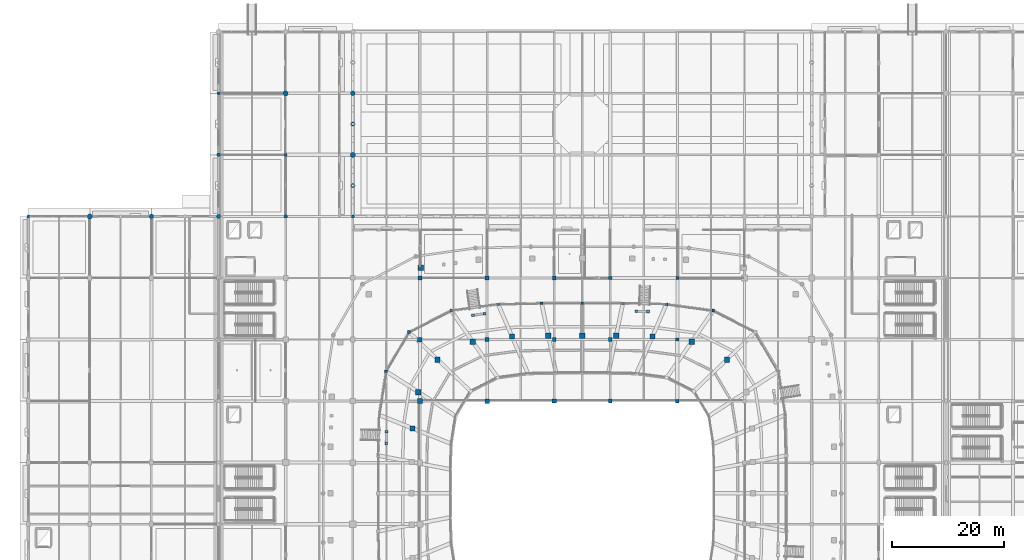
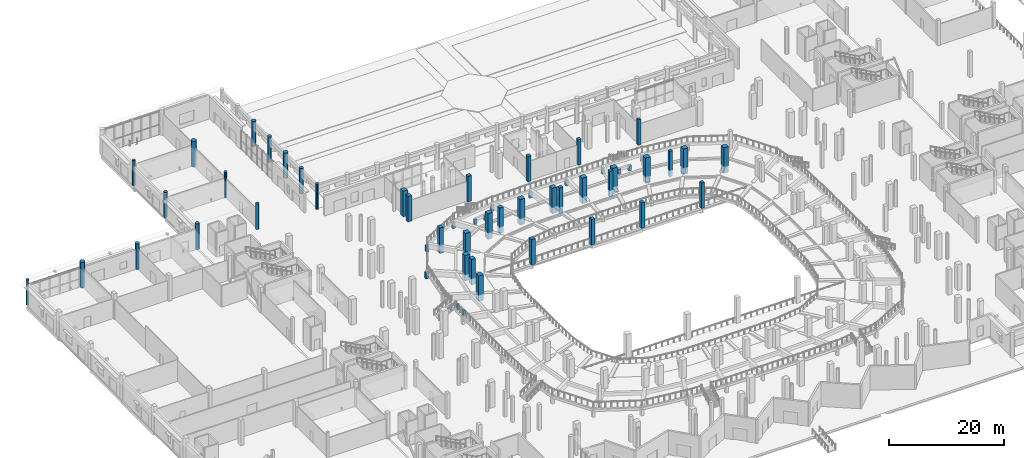
# One storey, part 8 of 120: 56 columns.
"""IFC4 building model written with IfcOpenShell, lengths in metres."""

from ifc_helpers import new_model, si_unit, direction, frame, origin, origin_2d, place, context, subcontext, project, spatial, rectangle, circle, extrude, material, material_profile, profile_set, type_object, element, save


model = new_model("IFC4")

# Units and contexts
model_context = context("Model", 3, precision=1e-05, world=origin(), true_north=direction((0.0, 1.0)))
body_context = subcontext(model_context, "Body", "Model", "MODEL_VIEW")
ifc_project = project(units=[si_unit("LENGTHUNIT", "METRE"), si_unit("AREAUNIT", "SQUARE_METRE"), si_unit("VOLUMEUNIT", "CUBIC_METRE"), si_unit("PLANEANGLEUNIT", "RADIAN"), si_unit("MASSUNIT", "GRAM", prefix="KILO")], contexts=[model_context])

# Site, building, storey
site_placement = place(None, origin())
site = spatial("IfcSite", under=ifc_project, at=site_placement, CompositionType="ELEMENT")
building_placement = place(site_placement, origin())
building = spatial("IfcBuilding", under=site, at=building_placement, Name="Luwafu Chhajja Arena", CompositionType="ELEMENT")
storey_placement = place(building_placement, origin())
storey = spatial("IfcBuildingStorey", under=building, at=storey_placement, Name="L00", CompositionType="ELEMENT", Elevation=0.0)

# Columns
ifc_material_1 = material(Name="Concrete C40/50", Category="concrete")
ifc_material_profile_1 = material_profile(ifc_material_1, rectangle(XDim=0.949951171875, YDim=0.949951171875, at=origin_2d()), Name="RC 950x950")
ifc_profile_set_1 = profile_set([ifc_material_profile_1], Name="Concrete C40/50")
column_type_1 = type_object("IfcColumnType", Name="Bowl Raker Support Column RC 950", PredefinedType="COLUMN", material=ifc_profile_set_1)
for number, where, z_axis, x_axis, name in (
    (1, (124.85986328125, 73.409912109375, 0.0), (0.0, 0.0, 1.0), (1.0, 0.0, 0.0), "L00 Upper Bowl Raker Column UI05"),
    (2, (118.57666015625, 76.589111328125, 0.0), (0.0, 0.0, 1.0), (1.0, 0.0, 0.0), "L00 Upper Bowl Raker Column UI06"),
    (3, (111.560302734375, 77.536865234375, 0.0), (0.0, 0.0, 1.0), (1.0, 0.0, 0.0), "L00 Upper Bowl Raker Column UI07"),
    (4, (105.065185546875, 77.6923828125, 0.0), (0.0, 0.0, 1.0), (1.0, 0.0, 0.0), "L00 Upper Bowl Raker Column UI08"),
    (5, (99.0, 77.699951171875, 0.0), (0.0, 0.0, 1.0), (1.0, 0.0, 0.0), "L00 Upper Bowl Raker Column UI09"),
    (6, (92.934814453125, 77.6923828125, 0.0), (0.0, 0.0, 1.0), (1.0, 0.0, 0.0), "L00 Upper Bowl Raker Column UI10"),
    (7, (86.439697265625, 77.536865234375, 0.0), (0.0, 0.0, 1.0), (1.0, 0.0, 0.0), "L00 Upper Bowl Raker Column UI11"),
    (8, (79.42333984375, 76.589111328125, 0.0), (0.0, 0.0, 1.0), (1.0, 0.0, 0.0), "L00 Upper Bowl Raker Column UI12"),
    (9, (73.14013671875, 73.409912109375, 0.0), (0.0, 0.0, 1.0), (1.0, 0.0, 0.0), "L00 Upper Bowl Raker Column UI13"),
    (10, (69.701416015625, 67.600341796875, 0.0), (0.0, 0.0, 1.0), (1.0, 0.0, 0.0), "L00 Upper Bowl Raker Column UI14"),
    (11, (68.676513671875, 61.11328125, 0.0), (0.0, 0.0, 1.0), (1.0, 0.0, 0.0), "L00 Upper Bowl Raker Column UI15"),
    (12, (70.116455078125, 89.845458984375, 0.0), (0.0, 0.0, 1.0), (1.0, 0.0, 0.0), "L00 Upper Bowl Raker Column UO12"),
):
    element("IfcColumn", number, at=place(storey_placement, frame(where, z_axis=z_axis, x_axis=x_axis)), inside=storey, type_object=column_type_1, Name=name, PredefinedType="COLUMN", context=body_context, shape_type="SweptSolid", body=[
        extrude(rectangle(XDim=0.949951171875, YDim=0.949951171875, at=origin_2d()), origin(), (0.0, 0.0, 1.0), 5.39990234375),
    ])
ifc_material_2 = material(Name="Concrete C35/45", Category="concrete")
ifc_material_profile_2 = material_profile(ifc_material_2, circle(Radius=0.375, at=origin_2d()), Name="RC COL D750")
ifc_profile_set_2 = profile_set([ifc_material_profile_2], Name="Concrete C35/45")
column_type_2 = type_object("IfcColumnType", Name="Charbagh Cloister Pier D750", PredefinedType="COLUMN", material=ifc_profile_set_2)
for number, where, z_axis, x_axis, name in (
    (13, (34.0, 99.0, 0.0), (0.0, 0.0, 1.0), (1.0, 0.0, 0.0), "L00 Grid Column 4/K"),
    (14, (58.0, 104.5, 0.0), (0.0, 0.0, 1.0), (1.0, 0.0, 0.0), "L00 Mughal Riwaq Colonnade Pier CHW09"),
    (15, (58.0, 115.5, 0.0), (0.0, 0.0, 1.0), (1.0, 0.0, 0.0), "L00 Mughal Riwaq Colonnade Pier CHW10"),
):
    element("IfcColumn", number, at=place(storey_placement, frame(where, z_axis=z_axis, x_axis=x_axis)), inside=storey, type_object=column_type_2, Name=name, PredefinedType="COLUMN", context=body_context, shape_type="SweptSolid", body=[
        extrude(circle(Radius=0.375, at=origin_2d()), origin(), (0.0, 0.0, 1.0), 5.39990234375),
    ])
ifc_material_profile_3 = material_profile(ifc_material_2, rectangle(XDim=0.85009765625, YDim=0.85009765625, at=origin_2d()), Name="RC 850x850")
ifc_profile_set_3 = profile_set([ifc_material_profile_3], Name="Concrete C35/45")
column_type_3 = type_object("IfcColumnType", Name="Concourse Heavy Column RC 850", PredefinedType="COLUMN", material=ifc_profile_set_3)
column_1_placement = place(storey_placement, frame((70.0, 66.0, 0.0), z_axis=(0.0, 0.0, 1.0), x_axis=(1.0, 0.0, 0.0)))
element("IfcColumn", 16, at=column_1_placement, inside=storey, type_object=column_type_3, Name="L00 Grid Column 7/G", PredefinedType="COLUMN", context=body_context, shape_type="SweptSolid", body=[
    extrude(rectangle(XDim=0.85009765625, YDim=0.85009765625, at=origin_2d()), origin(), (0.0, 0.0, 1.0), 5.39990234375),
])
ifc_material_profile_4 = material_profile(ifc_material_2, rectangle(XDim=0.800048828125, YDim=0.800048828125, at=origin_2d()), Name="RC 800x800")
ifc_profile_set_4 = profile_set([ifc_material_profile_4], Name="Concrete C35/45")
column_type_4 = type_object("IfcColumnType", Name="Concourse Standard Column RC 800", PredefinedType="COLUMN", material=ifc_profile_set_4)
for number, where, z_axis, x_axis, name in (
    (17, (70.0, 77.0, 0.0), (0.0, 0.0, 1.0), (1.0, 0.0, 0.0), "L00 Grid Column 7/H"),
    (18, (82.0, 66.0, 0.0), (0.0, 0.0, 1.0), (1.0, 0.0, 0.0), "L00 Grid Column 8/G"),
):
    element("IfcColumn", number, at=place(storey_placement, frame(where, z_axis=z_axis, x_axis=x_axis)), inside=storey, type_object=column_type_4, Name=name, PredefinedType="COLUMN", context=body_context, shape_type="SweptSolid", body=[
        extrude(rectangle(XDim=0.800048828125, YDim=0.800048828125, at=origin_2d()), origin(), (0.0, 0.0, 1.0), 5.39990234375),
    ])
ifc_material_profile_5 = material_profile(ifc_material_2, circle(Radius=0.324951171875, at=origin_2d()), Name="RC COL D650")
ifc_profile_set_5 = profile_set([ifc_material_profile_5], Name="Concrete C35/45")
column_type_5 = type_object("IfcColumnType", Name="Courtyard Arcade Pier D650", PredefinedType="COLUMN", material=ifc_profile_set_5)
for number, where, z_axis, x_axis, name in (
    (19, (34.0, 110.0, 0.0), (0.0, 0.0, 1.0), (1.0, 0.0, 0.0), "L00 Grid Column 4/L"),
    (20, (46.0, 99.0, 0.0), (0.0, 0.0, 1.0), (1.0, 0.0, 0.0), "L00 Grid Column 5/K"),
):
    element("IfcColumn", number, at=place(storey_placement, frame(where, z_axis=z_axis, x_axis=x_axis)), inside=storey, type_object=column_type_5, Name=name, PredefinedType="COLUMN", context=body_context, shape_type="SweptSolid", body=[
        extrude(circle(Radius=0.324951171875, at=origin_2d()), origin(), (0.0, 0.0, 1.0), 5.39990234375),
    ])
ifc_material_profile_6 = material_profile(ifc_material_1, circle(Radius=0.39990234375, at=origin_2d()), Name="RC COL D800")
ifc_profile_set_6 = profile_set([ifc_material_profile_6], Name="Concrete C40/50")
column_type_6 = type_object("IfcColumnType", Name="Foyer Rotunda Pier D800", PredefinedType="COLUMN", material=ifc_profile_set_6)
for number, where, z_axis, x_axis, name in (
    (21, (22.0, 99.0, 0.0), (0.0, 0.0, 1.0), (1.0, 0.0, 0.0), "L00 Grid Column 3/K"),
    (22, (58.0, 121.0, 0.0), (0.0, 0.0, 1.0), (1.0, 0.0, 0.0), "L00 Grid Column 6/M"),
):
    element("IfcColumn", number, at=place(storey_placement, frame(where, z_axis=z_axis, x_axis=x_axis)), inside=storey, type_object=column_type_6, Name=name, PredefinedType="COLUMN", context=body_context, shape_type="SweptSolid", body=[
        extrude(circle(Radius=0.39990234375, at=origin_2d()), origin(), (0.0, 0.0, 1.0), 5.39990234375),
    ])
ifc_material_profile_7 = material_profile(ifc_material_2, rectangle(XDim=0.550048828125, YDim=0.550048828125, at=origin_2d()), Name="RC 550x550")
ifc_profile_set_7 = profile_set([ifc_material_profile_7], Name="Concrete C35/45")
column_type_7 = type_object("IfcColumnType", Name="Gallery Column RC 550", PredefinedType="COLUMN", material=ifc_profile_set_7)
column_2_placement = place(storey_placement, frame((116.0, 88.0, 0.0), z_axis=(0.0, 0.0, 1.0), x_axis=(1.0, 0.0, 0.0)))
element("IfcColumn", 23, at=column_2_placement, inside=storey, type_object=column_type_7, Name="L00 Grid Column 11/J", PredefinedType="COLUMN", context=body_context, shape_type="SweptSolid", body=[
    extrude(rectangle(XDim=0.550048828125, YDim=0.550048828125, at=origin_2d()), origin(), (0.0, 0.0, 1.0), 5.39990234375),
])
ifc_material_profile_8 = material_profile(ifc_material_2, rectangle(XDim=0.75, YDim=0.75, at=origin_2d()), Name="RC 750x750")
ifc_profile_set_8 = profile_set([ifc_material_profile_8], Name="Concrete C35/45")
column_type_8 = type_object("IfcColumnType", Name="Hospitality Ring Column RC 750", PredefinedType="COLUMN", material=ifc_profile_set_8)
for number, where, z_axis, x_axis, name in (
    (24, (70.0, 88.0, 0.0), (0.0, 0.0, 1.0), (1.0, 0.0, 0.0), "L00 Grid Column 7/J"),
    (25, (82.0, 77.0, 0.0), (0.0, 0.0, 1.0), (1.0, 0.0, 0.0), "L00 Grid Column 8/H"),
    (26, (94.0, 66.0, 0.0), (0.0, 0.0, 1.0), (1.0, 0.0, 0.0), "L00 Grid Column 9/G"),
):
    element("IfcColumn", number, at=place(storey_placement, frame(where, z_axis=z_axis, x_axis=x_axis)), inside=storey, type_object=column_type_8, Name=name, PredefinedType="COLUMN", context=body_context, shape_type="SweptSolid", body=[
        extrude(rectangle(XDim=0.75, YDim=0.75, at=origin_2d()), origin(), (0.0, 0.0, 1.0), 5.39990234375),
    ])
ifc_material_profile_9 = material_profile(ifc_material_2, rectangle(XDim=0.60009765625, YDim=0.60009765625, at=origin_2d()), Name="RC 600x600")
ifc_profile_set_9 = profile_set([ifc_material_profile_9], Name="Concrete C35/45")
column_type_9 = type_object("IfcColumnType", Name="Mezzanine Column RC 600", PredefinedType="COLUMN", material=ifc_profile_set_9)
for number, where, z_axis, x_axis, name in (
    (27, (104.0, 88.0, 0.0), (0.0, 0.0, 1.0), (1.0, 0.0, 0.0), "L00 Grid Column 10/J"),
    (28, (116.0, 77.0, 0.0), (0.0, 0.0, 1.0), (1.0, 0.0, 0.0), "L00 Grid Column 11/H"),
):
    element("IfcColumn", number, at=place(storey_placement, frame(where, z_axis=z_axis, x_axis=x_axis)), inside=storey, type_object=column_type_9, Name=name, PredefinedType="COLUMN", context=body_context, shape_type="SweptSolid", body=[
        extrude(rectangle(XDim=0.60009765625, YDim=0.60009765625, at=origin_2d()), origin(), (0.0, 0.0, 1.0), 5.39990234375),
    ])
ifc_material_profile_10 = material_profile(ifc_material_1, circle(Radius=0.449951171875, at=origin_2d()), Name="RC COL D900")
ifc_profile_set_10 = profile_set([ifc_material_profile_10], Name="Concrete C40/50")
column_type_10 = type_object("IfcColumnType", Name="Mughal Colonnade Drum Pier D900", PredefinedType="COLUMN", material=ifc_profile_set_10)
for number, where, z_axis, x_axis, name in (
    (29, (11.0, 99.0, 0.0), (0.0, 0.0, 1.0), (1.0, 0.0, 0.0), "L00 Grid Column 2/K"),
    (30, (46.0, 121.0, 0.0), (0.0, 0.0, 1.0), (1.0, 0.0, 0.0), "L00 Grid Column 5/M"),
    (31, (58.0, 110.0, 0.0), (0.0, 0.0, 1.0), (1.0, 0.0, 0.0), "L00 Grid Column 6/L"),
):
    element("IfcColumn", number, at=place(storey_placement, frame(where, z_axis=z_axis, x_axis=x_axis)), inside=storey, type_object=column_type_10, Name=name, PredefinedType="COLUMN", context=body_context, shape_type="SweptSolid", body=[
        extrude(circle(Radius=0.449951171875, at=origin_2d()), origin(), (0.0, 0.0, 1.0), 5.39990234375),
    ])
ifc_material_profile_11 = material_profile(ifc_material_2, rectangle(XDim=0.5, YDim=0.5, at=origin_2d()), Name="RC 500x500")
ifc_profile_set_11 = profile_set([ifc_material_profile_11], Name="Concrete C35/45")
column_type_11 = type_object("IfcColumnType", Name="Pavilion Column RC 500", PredefinedType="COLUMN", material=ifc_profile_set_11)
for number, where, z_axis, x_axis, name in (
    (32, (122.427734375, 82.16064453125, 0.0), (0.0, 0.0, 1.0), (1.0, 0.0, 0.0), "L00 Raker Heel Plinth 06"),
    (33, (114.03125, 83.30322265625, 0.0), (0.0, 0.0, 1.0), (1.0, 0.0, 0.0), "L00 Raker Heel Plinth 07"),
):
    element("IfcColumn", number, at=place(storey_placement, frame(where, z_axis=z_axis, x_axis=x_axis)), inside=storey, type_object=column_type_11, Name=name, PredefinedType="COLUMN", context=body_context, shape_type="SweptSolid", body=[
        extrude(rectangle(XDim=0.5, YDim=0.5, at=origin_2d()), origin(), (0.0, 0.0, 1.0), 1.280029296875),
    ])
for number, where, z_axis, x_axis, name in (
    (34, (110.74169921875, 81.994140625, 0.0), (0.0, 0.0, 1.0), (1.0, 0.0, 0.0), "L00 Vomitory Header Column VL07A"),
    (35, (108.64208984375, 82.044921875, 0.0), (0.0, 0.0, 1.0), (1.0, 0.0, 0.0), "L00 Vomitory Header Column VL07B"),
):
    element("IfcColumn", number, at=place(storey_placement, frame(where, z_axis=z_axis, x_axis=x_axis)), inside=storey, type_object=column_type_11, Name=name, PredefinedType="COLUMN", context=body_context, shape_type="SweptSolid", body=[
        extrude(rectangle(XDim=0.5, YDim=0.5, at=origin_2d()), origin(), (0.0, 0.0, 1.0), 1.050048828125),
    ])
for number, where, z_axis, x_axis, name in (
    (36, (106.25830078125, 83.49072265625, 0.0), (0.0, 0.0, 1.0), (1.0, 0.0, 0.0), "L00 Raker Heel Plinth 08"),
    (37, (99.0, 83.5, 0.0), (0.0, 0.0, 1.0), (1.0, 0.0, 0.0), "L00 Raker Heel Plinth 09"),
    (38, (91.74169921875, 83.49072265625, 0.0), (0.0, 0.0, 1.0), (1.0, 0.0, 0.0), "L00 Raker Heel Plinth 10"),
    (39, (83.96875, 83.30322265625, 0.0), (0.0, 0.0, 1.0), (1.0, 0.0, 0.0), "L00 Raker Heel Plinth 11"),
):
    element("IfcColumn", number, at=place(storey_placement, frame(where, z_axis=z_axis, x_axis=x_axis)), inside=storey, type_object=column_type_11, Name=name, PredefinedType="COLUMN", context=body_context, shape_type="SweptSolid", body=[
        extrude(rectangle(XDim=0.5, YDim=0.5, at=origin_2d()), origin(), (0.0, 0.0, 1.0), 1.280029296875),
    ])
for number, where, z_axis, x_axis, name in (
    (40, (81.537109375, 81.618408203125, 0.0), (0.0, 0.0, 1.0), (1.0, 0.0, 0.0), "L00 Vomitory Header Column VL11A"),
    (41, (79.456298828125, 81.335205078125, 0.0), (0.0, 0.0, 1.0), (1.0, 0.0, 0.0), "L00 Vomitory Header Column VL11B"),
):
    element("IfcColumn", number, at=place(storey_placement, frame(where, z_axis=z_axis, x_axis=x_axis)), inside=storey, type_object=column_type_11, Name=name, PredefinedType="COLUMN", context=body_context, shape_type="SweptSolid", body=[
        extrude(rectangle(XDim=0.5, YDim=0.5, at=origin_2d()), origin(), (0.0, 0.0, 1.0), 1.050048828125),
    ])
for number, where, z_axis, x_axis, name in (
    (42, (75.572265625, 82.16064453125, 0.0), (0.0, 0.0, 1.0), (1.0, 0.0, 0.0), "L00 Raker Heel Plinth 12"),
    (43, (68.052978515625, 78.327392578125, 0.0), (0.0, 0.0, 1.0), (1.0, 0.0, 0.0), "L00 Raker Heel Plinth 13"),
    (44, (63.93798828125, 71.322998046875, 0.0), (0.0, 0.0, 1.0), (1.0, 0.0, 0.0), "L00 Raker Heel Plinth 14"),
):
    element("IfcColumn", number, at=place(storey_placement, frame(where, z_axis=z_axis, x_axis=x_axis)), inside=storey, type_object=column_type_11, Name=name, PredefinedType="COLUMN", context=body_context, shape_type="SweptSolid", body=[
        extrude(rectangle(XDim=0.5, YDim=0.5, at=origin_2d()), origin(), (0.0, 0.0, 1.0), 1.280029296875),
    ])
for number, where, z_axis, x_axis, name in (
    (45, (64.0341796875, 60.533203125, 0.0), (0.0, 0.0, 1.0), (1.0, 0.0, 0.0), "L00 Vomitory Header Column VL15A"),
    (46, (63.9755859375, 58.43408203125, 0.0), (0.0, 0.0, 1.0), (1.0, 0.0, 0.0), "L00 Vomitory Header Column VL15B"),
):
    element("IfcColumn", number, at=place(storey_placement, frame(where, z_axis=z_axis, x_axis=x_axis)), inside=storey, type_object=column_type_11, Name=name, PredefinedType="COLUMN", context=body_context, shape_type="SweptSolid", body=[
        extrude(rectangle(XDim=0.5, YDim=0.5, at=origin_2d()), origin(), (0.0, 0.0, 1.0), 1.050048828125),
    ])
ifc_material_profile_12 = material_profile(ifc_material_2, circle(Radius=0.27490234375, at=origin_2d()), Name="RC COL D550")
ifc_profile_set_12 = profile_set([ifc_material_profile_12], Name="Concrete C35/45")
column_type_12 = type_object("IfcColumnType", Name="Terrace Loggia Pier D550", PredefinedType="COLUMN", material=ifc_profile_set_12)
for number, where, z_axis, x_axis, name in (
    (47, (0.0, 99.0, 0.0), (0.0, 0.0, 1.0), (1.0, 0.0, 0.0), "L00 Grid Column 1/K"),
    (48, (34.0, 121.0, 0.0), (0.0, 0.0, 1.0), (1.0, 0.0, 0.0), "L00 Grid Column 4/M"),
    (49, (46.0, 110.0, 0.0), (0.0, 0.0, 1.0), (1.0, 0.0, 0.0), "L00 Grid Column 5/L"),
    (50, (58.0, 99.0, 0.0), (0.0, 0.0, 1.0), (1.0, 0.0, 0.0), "L00 Grid Column 6/K"),
):
    element("IfcColumn", number, at=place(storey_placement, frame(where, z_axis=z_axis, x_axis=x_axis)), inside=storey, type_object=column_type_12, Name=name, PredefinedType="COLUMN", context=body_context, shape_type="SweptSolid", body=[
        extrude(circle(Radius=0.27490234375, at=origin_2d()), origin(), (0.0, 0.0, 1.0), 5.39990234375),
    ])
ifc_material_profile_13 = material_profile(ifc_material_2, rectangle(XDim=0.64990234375, YDim=0.64990234375, at=origin_2d()), Name="RC 650x650")
ifc_profile_set_13 = profile_set([ifc_material_profile_13], Name="Concrete C35/45")
column_type_13 = type_object("IfcColumnType", Name="Upper Wing Column RC 650", PredefinedType="COLUMN", material=ifc_profile_set_13)
for number, where, z_axis, x_axis, name in (
    (51, (94.0, 88.0, 0.0), (0.0, 0.0, 1.0), (1.0, 0.0, 0.0), "L00 Grid Column 9/J"),
    (52, (104.0, 77.0, 0.0), (0.0, 0.0, 1.0), (1.0, 0.0, 0.0), "L00 Grid Column 10/H"),
    (53, (116.0, 66.0, 0.0), (0.0, 0.0, 1.0), (1.0, 0.0, 0.0), "L00 Grid Column 11/G"),
):
    element("IfcColumn", number, at=place(storey_placement, frame(where, z_axis=z_axis, x_axis=x_axis)), inside=storey, type_object=column_type_13, Name=name, PredefinedType="COLUMN", context=body_context, shape_type="SweptSolid", body=[
        extrude(rectangle(XDim=0.64990234375, YDim=0.64990234375, at=origin_2d()), origin(), (0.0, 0.0, 1.0), 5.39990234375),
    ])
ifc_material_profile_14 = material_profile(ifc_material_2, rectangle(XDim=0.699951171875, YDim=0.699951171875, at=origin_2d()), Name="RC 700x700")
ifc_profile_set_14 = profile_set([ifc_material_profile_14], Name="Concrete C35/45")
column_type_14 = type_object("IfcColumnType", Name="Wing Frame Column RC 700", PredefinedType="COLUMN", material=ifc_profile_set_14)
for number, where, z_axis, x_axis, name in (
    (54, (82.0, 88.0, 0.0), (0.0, 0.0, 1.0), (1.0, 0.0, 0.0), "L00 Grid Column 8/J"),
    (55, (94.0, 77.0, 0.0), (0.0, 0.0, 1.0), (1.0, 0.0, 0.0), "L00 Grid Column 9/H"),
    (56, (104.0, 66.0, 0.0), (0.0, 0.0, 1.0), (1.0, 0.0, 0.0), "L00 Grid Column 10/G"),
):
    element("IfcColumn", number, at=place(storey_placement, frame(where, z_axis=z_axis, x_axis=x_axis)), inside=storey, type_object=column_type_14, Name=name, PredefinedType="COLUMN", context=body_context, shape_type="SweptSolid", body=[
        extrude(rectangle(XDim=0.699951171875, YDim=0.699951171875, at=origin_2d()), origin(), (0.0, 0.0, 1.0), 5.39990234375),
    ])

save(model, "model.ifc")
